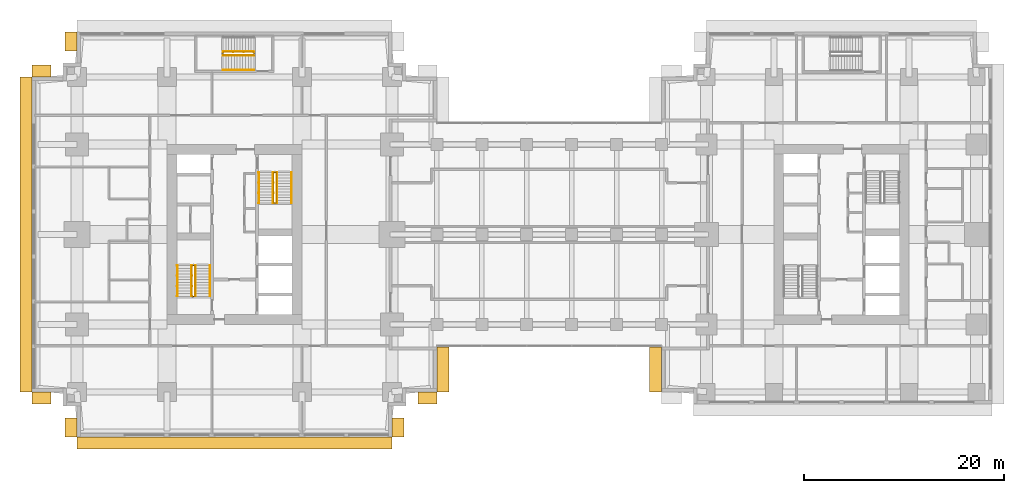
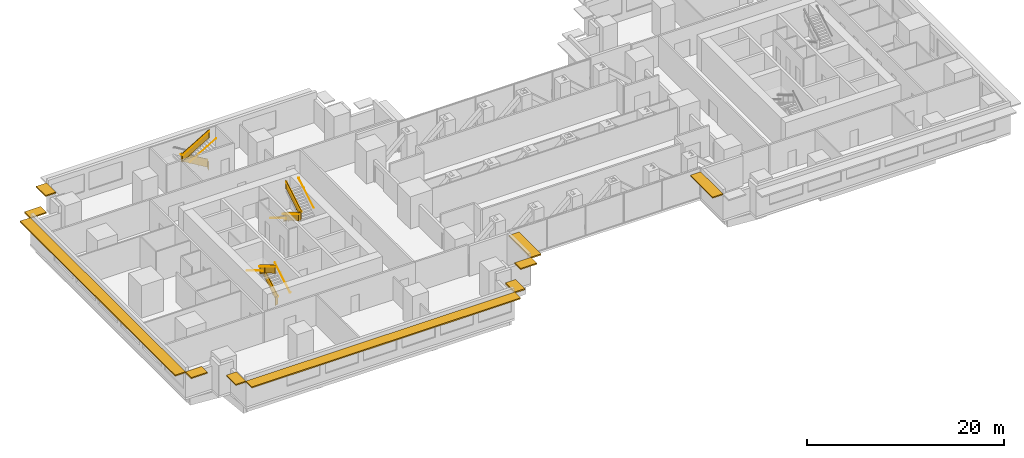
# One storey, part 14 of 16: 14 railings, 10 shading devices.
"""IFC4 building model written with IfcOpenShell, lengths in metres."""

from ifc_helpers import new_model, si_unit, direction, frame, origin, origin_2d, place, context, subcontext, project, spatial, polyline, rectangle, circle, outline, extrude, material, layer, layer_set, type_object, element, save


model = new_model("IFC4")

# Units and contexts
model_context = context("Model", 3, precision=1e-05, world=origin(), true_north=direction((0.0, 1.0)))
body_context = subcontext(model_context, "Body", "Model", "MODEL_VIEW")
ifc_project = project(units=[si_unit("LENGTHUNIT", "METRE"), si_unit("AREAUNIT", "SQUARE_METRE"), si_unit("VOLUMEUNIT", "CUBIC_METRE"), si_unit("PLANEANGLEUNIT", "RADIAN"), si_unit("MASSUNIT", "GRAM", prefix="KILO")], contexts=[model_context])

# Site, building, storey
site_placement = place(None, origin())
site = spatial("IfcSite", under=ifc_project, at=site_placement, CompositionType="ELEMENT")
building_placement = place(site_placement, origin())
building = spatial("IfcBuilding", under=site, at=building_placement, Name="Namib Vertical Campus", CompositionType="ELEMENT")
storey_placement = place(building_placement, frame((0.0, 0.0, 125.0)))
storey = spatial("IfcBuildingStorey", under=building, at=storey_placement, Name="L29", CompositionType="ELEMENT", Elevation=125.0)

# Railings
ifc_material_1 = material(Name="Steel handrail", Category="steel")
railing_type_1 = type_object("IfcRailingType", Name="Handrail 900", PredefinedType="HANDRAIL", material=ifc_material_1)
railing_1_placement = place(storey_placement, frame((17.800048828125, 14.050048828125, 0.166748046875)))
element("IfcRailing", 1, at=railing_1_placement, inside=storey, type_object=railing_type_1, Name="Handrail HR1 A-S1 L29 1", PredefinedType="HANDRAIL", context=body_context, shape_type="SweptSolid", body=[
    extrude(circle(Radius=0.02392578125, at=origin_2d()), frame((0.0, 0.0, 0.8759765625), z_axis=(0.0, 0.859290745958, 0.51148745235), x_axis=(-1.0, 0.0, 0.0)), (0.0, 0.0, 1.0), 3.584228515625),
    extrude(circle(Radius=0.008056640625, at=origin_2d()), frame((0.0, 0.0, 0.8759765625), z_axis=(1.0, 0.0, 0.0), x_axis=(0.0, 0.0, 1.0)), (0.0, 0.0, 1.0), 0.050048828125),
    extrude(circle(Radius=0.008056640625, at=origin_2d()), frame((0.0, 1.026611328125, 1.48681640625), z_axis=(1.0, 0.0, 0.0), x_axis=(0.0, 0.0, 1.0)), (0.0, 0.0, 1.0), 0.050048828125),
    extrude(circle(Radius=0.008056640625, at=origin_2d()), frame((0.0, 2.05322265625, 2.09814453125), z_axis=(1.0, 0.0, 0.0), x_axis=(0.0, 0.0, 1.0)), (0.0, 0.0, 1.0), 0.050048828125),
    extrude(circle(Radius=0.008056640625, at=origin_2d()), frame((0.0, 3.079833984375, 2.708984375), z_axis=(1.0, 0.0, 0.0), x_axis=(0.0, 0.0, 1.0)), (0.0, 0.0, 1.0), 0.050048828125),
])
railing_2_placement = place(storey_placement, frame((14.550048828125, 17.1298828125, 2.166748046875)))
element("IfcRailing", 2, at=railing_2_placement, inside=storey, type_object=railing_type_1, Name="Handrail HR1 A-S1 L29 2", PredefinedType="HANDRAIL", context=body_context, shape_type="SweptSolid", body=[
    extrude(circle(Radius=0.02392578125, at=origin_2d()), frame((0.0, 0.0, 0.8759765625), z_axis=(0.0, -0.859290745958, 0.51148745235), x_axis=(1.0, 0.0, 0.0)), (0.0, 0.0, 1.0), 3.584228515625),
    extrude(circle(Radius=0.008056640625, at=origin_2d()), frame((0.0, 0.0, 0.8759765625), z_axis=(-1.0, 0.0, 0.0), x_axis=(0.0, 0.0, 1.0)), (0.0, 0.0, 1.0), 0.050048828125),
    extrude(circle(Radius=0.008056640625, at=origin_2d()), frame((0.0, -1.026611328125, 1.48681640625), z_axis=(-1.0, 0.0, 0.0), x_axis=(0.0, 0.0, 1.0)), (0.0, 0.0, 1.0), 0.050048828125),
    extrude(circle(Radius=0.008056640625, at=origin_2d()), frame((0.0, -2.05322265625, 2.09814453125), z_axis=(-1.0, 0.0, 0.0), x_axis=(0.0, 0.0, 1.0)), (0.0, 0.0, 1.0), 0.050048828125),
    extrude(circle(Radius=0.008056640625, at=origin_2d()), frame((0.0, -3.079833984375, 2.708984375), z_axis=(-1.0, 0.0, 0.0), x_axis=(0.0, 0.0, 1.0)), (0.0, 0.0, 1.0), 0.050048828125),
])
railing_3_placement = place(storey_placement, frame((16.375, 14.050048828125, 0.166748046875)))
element("IfcRailing", 3, at=railing_3_placement, inside=storey, type_object=railing_type_1, Name="Handrail HR1 A-S1 L29 1 at the well", PredefinedType="HANDRAIL", context=body_context, shape_type="SweptSolid", body=[
    extrude(circle(Radius=0.02392578125, at=origin_2d()), frame((0.0, 0.0, 0.8759765625), z_axis=(0.0, 0.859290745958, 0.51148745235), x_axis=(-1.0, 0.0, 0.0)), (0.0, 0.0, 1.0), 3.584228515625),
    extrude(circle(Radius=0.008056640625, at=origin_2d()), frame((0.0, 0.0, 0.8759765625), z_axis=(-1.0, 0.0, 0.0), x_axis=(0.0, 0.0, 1.0)), (0.0, 0.0, 1.0), 0.0400390625),
    extrude(circle(Radius=0.008056640625, at=origin_2d()), frame((0.0, 1.026611328125, 1.48681640625), z_axis=(-1.0, 0.0, 0.0), x_axis=(0.0, 0.0, 1.0)), (0.0, 0.0, 1.0), 0.0400390625),
    extrude(circle(Radius=0.008056640625, at=origin_2d()), frame((0.0, 2.05322265625, 2.09814453125), z_axis=(-1.0, 0.0, 0.0), x_axis=(0.0, 0.0, 1.0)), (0.0, 0.0, 1.0), 0.0400390625),
    extrude(circle(Radius=0.008056640625, at=origin_2d()), frame((0.0, 3.079833984375, 2.708984375), z_axis=(-1.0, 0.0, 0.0), x_axis=(0.0, 0.0, 1.0)), (0.0, 0.0, 1.0), 0.0400390625),
])
railing_4_placement = place(storey_placement, frame((15.97509765625, 17.1298828125, 2.166748046875)))
element("IfcRailing", 4, at=railing_4_placement, inside=storey, type_object=railing_type_1, Name="Handrail HR1 A-S1 L29 2 at the well", PredefinedType="HANDRAIL", context=body_context, shape_type="SweptSolid", body=[
    extrude(circle(Radius=0.02392578125, at=origin_2d()), frame((0.0, 0.0, 0.8759765625), z_axis=(0.0, -0.859290745958, 0.51148745235), x_axis=(1.0, 0.0, 0.0)), (0.0, 0.0, 1.0), 3.584228515625),
    extrude(circle(Radius=0.008056640625, at=origin_2d()), frame((0.0, 0.0, 0.8759765625), z_axis=(1.0, 0.0, 0.0), x_axis=(0.0, 0.0, 1.0)), (0.0, 0.0, 1.0), 0.0400390625),
    extrude(circle(Radius=0.008056640625, at=origin_2d()), frame((0.0, -1.026611328125, 1.48681640625), z_axis=(1.0, 0.0, 0.0), x_axis=(0.0, 0.0, 1.0)), (0.0, 0.0, 1.0), 0.0400390625),
    extrude(circle(Radius=0.008056640625, at=origin_2d()), frame((0.0, -2.05322265625, 2.09814453125), z_axis=(1.0, 0.0, 0.0), x_axis=(0.0, 0.0, 1.0)), (0.0, 0.0, 1.0), 0.0400390625),
    extrude(circle(Radius=0.008056640625, at=origin_2d()), frame((0.0, -3.079833984375, 2.708984375), z_axis=(1.0, 0.0, 0.0), x_axis=(0.0, 0.0, 1.0)), (0.0, 0.0, 1.0), 0.0400390625),
])
railing_5_placement = place(storey_placement, frame((22.699951171875, 26.449951171875, 0.166748046875)))
element("IfcRailing", 5, at=railing_5_placement, inside=storey, type_object=railing_type_1, Name="Handrail HR1 A-S2 L29 1", PredefinedType="HANDRAIL", context=body_context, shape_type="SweptSolid", body=[
    extrude(circle(Radius=0.02392578125, at=origin_2d()), frame((0.0, 0.0, 0.8759765625), z_axis=(0.0, -0.859290745958, 0.51148745235), x_axis=(1.0, 0.0, 0.0)), (0.0, 0.0, 1.0), 3.584228515625),
    extrude(circle(Radius=0.008056640625, at=origin_2d()), frame((0.0, 0.0, 0.8759765625), z_axis=(-1.0, 0.0, 0.0), x_axis=(0.0, 0.0, 1.0)), (0.0, 0.0, 1.0), 0.050048828125),
    extrude(circle(Radius=0.008056640625, at=origin_2d()), frame((0.0, -1.026611328125, 1.48681640625), z_axis=(-1.0, 0.0, 0.0), x_axis=(0.0, 0.0, 1.0)), (0.0, 0.0, 1.0), 0.050048828125),
    extrude(circle(Radius=0.008056640625, at=origin_2d()), frame((0.0, -2.05322265625, 2.09814453125), z_axis=(-1.0, 0.0, 0.0), x_axis=(0.0, 0.0, 1.0)), (0.0, 0.0, 1.0), 0.050048828125),
    extrude(circle(Radius=0.008056640625, at=origin_2d()), frame((0.0, -3.079833984375, 2.708984375), z_axis=(-1.0, 0.0, 0.0), x_axis=(0.0, 0.0, 1.0)), (0.0, 0.0, 1.0), 0.050048828125),
])
railing_6_placement = place(storey_placement, frame((25.949951171875, 23.3701171875, 2.166748046875)))
element("IfcRailing", 6, at=railing_6_placement, inside=storey, type_object=railing_type_1, Name="Handrail HR1 A-S2 L29 2", PredefinedType="HANDRAIL", context=body_context, shape_type="SweptSolid", body=[
    extrude(circle(Radius=0.02392578125, at=origin_2d()), frame((0.0, 0.0, 0.8759765625), z_axis=(0.0, 0.859290745958, 0.51148745235), x_axis=(-1.0, 0.0, 0.0)), (0.0, 0.0, 1.0), 3.584228515625),
    extrude(circle(Radius=0.008056640625, at=origin_2d()), frame((0.0, 0.0, 0.8759765625), z_axis=(1.0, 0.0, 0.0), x_axis=(0.0, 0.0, 1.0)), (0.0, 0.0, 1.0), 0.050048828125),
    extrude(circle(Radius=0.008056640625, at=origin_2d()), frame((0.0, 1.026611328125, 1.48681640625), z_axis=(1.0, 0.0, 0.0), x_axis=(0.0, 0.0, 1.0)), (0.0, 0.0, 1.0), 0.050048828125),
    extrude(circle(Radius=0.008056640625, at=origin_2d()), frame((0.0, 2.05322265625, 2.09814453125), z_axis=(1.0, 0.0, 0.0), x_axis=(0.0, 0.0, 1.0)), (0.0, 0.0, 1.0), 0.050048828125),
    extrude(circle(Radius=0.008056640625, at=origin_2d()), frame((0.0, 3.079833984375, 2.708984375), z_axis=(1.0, 0.0, 0.0), x_axis=(0.0, 0.0, 1.0)), (0.0, 0.0, 1.0), 0.050048828125),
])
railing_7_placement = place(storey_placement, frame((24.125, 26.449951171875, 0.166748046875)))
element("IfcRailing", 7, at=railing_7_placement, inside=storey, type_object=railing_type_1, Name="Handrail HR1 A-S2 L29 1 at the well", PredefinedType="HANDRAIL", context=body_context, shape_type="SweptSolid", body=[
    extrude(circle(Radius=0.02392578125, at=origin_2d()), frame((0.0, 0.0, 0.8759765625), z_axis=(0.0, -0.859290745958, 0.51148745235), x_axis=(1.0, 0.0, 0.0)), (0.0, 0.0, 1.0), 3.584228515625),
    extrude(circle(Radius=0.008056640625, at=origin_2d()), frame((0.0, 0.0, 0.8759765625), z_axis=(1.0, 0.0, 0.0), x_axis=(0.0, 0.0, 1.0)), (0.0, 0.0, 1.0), 0.0400390625),
    extrude(circle(Radius=0.008056640625, at=origin_2d()), frame((0.0, -1.026611328125, 1.48681640625), z_axis=(1.0, 0.0, 0.0), x_axis=(0.0, 0.0, 1.0)), (0.0, 0.0, 1.0), 0.0400390625),
    extrude(circle(Radius=0.008056640625, at=origin_2d()), frame((0.0, -2.05322265625, 2.09814453125), z_axis=(1.0, 0.0, 0.0), x_axis=(0.0, 0.0, 1.0)), (0.0, 0.0, 1.0), 0.0400390625),
    extrude(circle(Radius=0.008056640625, at=origin_2d()), frame((0.0, -3.079833984375, 2.708984375), z_axis=(1.0, 0.0, 0.0), x_axis=(0.0, 0.0, 1.0)), (0.0, 0.0, 1.0), 0.0400390625),
])
railing_8_placement = place(storey_placement, frame((24.52490234375, 23.3701171875, 2.166748046875)))
element("IfcRailing", 8, at=railing_8_placement, inside=storey, type_object=railing_type_1, Name="Handrail HR1 A-S2 L29 2 at the well", PredefinedType="HANDRAIL", context=body_context, shape_type="SweptSolid", body=[
    extrude(circle(Radius=0.02392578125, at=origin_2d()), frame((0.0, 0.0, 0.8759765625), z_axis=(0.0, 0.859290745958, 0.51148745235), x_axis=(-1.0, 0.0, 0.0)), (0.0, 0.0, 1.0), 3.584228515625),
    extrude(circle(Radius=0.008056640625, at=origin_2d()), frame((0.0, 0.0, 0.8759765625), z_axis=(-1.0, 0.0, 0.0), x_axis=(0.0, 0.0, 1.0)), (0.0, 0.0, 1.0), 0.0400390625),
    extrude(circle(Radius=0.008056640625, at=origin_2d()), frame((0.0, 1.026611328125, 1.48681640625), z_axis=(-1.0, 0.0, 0.0), x_axis=(0.0, 0.0, 1.0)), (0.0, 0.0, 1.0), 0.0400390625),
    extrude(circle(Radius=0.008056640625, at=origin_2d()), frame((0.0, 2.05322265625, 2.09814453125), z_axis=(-1.0, 0.0, 0.0), x_axis=(0.0, 0.0, 1.0)), (0.0, 0.0, 1.0), 0.0400390625),
    extrude(circle(Radius=0.008056640625, at=origin_2d()), frame((0.0, 3.079833984375, 2.708984375), z_axis=(-1.0, 0.0, 0.0), x_axis=(0.0, 0.0, 1.0)), (0.0, 0.0, 1.0), 0.0400390625),
])
railing_9_placement = place(storey_placement, frame((19.1201171875, 36.699951171875, 2.166748046875)))
element("IfcRailing", 9, at=railing_9_placement, inside=storey, type_object=railing_type_1, Name="Handrail HR1 A-S3 L29 2", PredefinedType="HANDRAIL", context=body_context, shape_type="SweptSolid", body=[
    extrude(circle(Radius=0.02392578125, at=origin_2d()), frame((0.0, 0.0, 0.8759765625), z_axis=(0.859290745958, 0.0, 0.51148745235), x_axis=(0.0, 1.0, 0.0)), (0.0, 0.0, 1.0), 3.584228515625),
    extrude(circle(Radius=0.008056640625, at=origin_2d()), frame((0.0, 0.0, 0.8759765625), z_axis=(0.0, -1.0, 0.0), x_axis=(0.0, 0.0, 1.0)), (0.0, 0.0, 1.0), 0.050048828125),
    extrude(circle(Radius=0.008056640625, at=origin_2d()), frame((1.026611328125, 0.0, 1.48681640625), z_axis=(0.0, -1.0, 0.0), x_axis=(0.0, 0.0, 1.0)), (0.0, 0.0, 1.0), 0.050048828125),
    extrude(circle(Radius=0.008056640625, at=origin_2d()), frame((2.05322265625, 0.0, 2.09814453125), z_axis=(0.0, -1.0, 0.0), x_axis=(0.0, 0.0, 1.0)), (0.0, 0.0, 1.0), 0.050048828125),
    extrude(circle(Radius=0.008056640625, at=origin_2d()), frame((3.079833984375, 0.0, 2.708984375), z_axis=(0.0, -1.0, 0.0), x_axis=(0.0, 0.0, 1.0)), (0.0, 0.0, 1.0), 0.050048828125),
])
railing_10_placement = place(storey_placement, frame((22.199951171875, 38.52490234375, 0.166748046875)))
element("IfcRailing", 10, at=railing_10_placement, inside=storey, type_object=railing_type_1, Name="Handrail HR1 A-S3 L29 1 at the well", PredefinedType="HANDRAIL", context=body_context, shape_type="SweptSolid", body=[
    extrude(circle(Radius=0.02392578125, at=origin_2d()), frame((0.0, 0.0, 0.8759765625), z_axis=(-0.859290745958, 0.0, 0.51148745235), x_axis=(0.0, -1.0, 0.0)), (0.0, 0.0, 1.0), 3.584228515625),
    extrude(circle(Radius=0.008056640625, at=origin_2d()), frame((0.0, 0.0, 0.8759765625), z_axis=(0.0, -1.0, 0.0), x_axis=(0.0, 0.0, 1.0)), (0.0, 0.0, 1.0), 0.0400390625),
    extrude(circle(Radius=0.008056640625, at=origin_2d()), frame((-1.026611328125, 0.0, 1.48681640625), z_axis=(0.0, -1.0, 0.0), x_axis=(0.0, 0.0, 1.0)), (0.0, 0.0, 1.0), 0.0400390625),
    extrude(circle(Radius=0.008056640625, at=origin_2d()), frame((-2.05322265625, 0.0, 2.09814453125), z_axis=(0.0, -1.0, 0.0), x_axis=(0.0, 0.0, 1.0)), (0.0, 0.0, 1.0), 0.0400390625),
    extrude(circle(Radius=0.008056640625, at=origin_2d()), frame((-3.079833984375, 0.0, 2.708984375), z_axis=(0.0, -1.0, 0.0), x_axis=(0.0, 0.0, 1.0)), (0.0, 0.0, 1.0), 0.0400390625),
])
railing_11_placement = place(storey_placement, frame((19.1201171875, 38.125, 2.166748046875)))
element("IfcRailing", 11, at=railing_11_placement, inside=storey, type_object=railing_type_1, Name="Handrail HR1 A-S3 L29 2 at the well", PredefinedType="HANDRAIL", context=body_context, shape_type="SweptSolid", body=[
    extrude(circle(Radius=0.02392578125, at=origin_2d()), frame((0.0, 0.0, 0.8759765625), z_axis=(0.859290745958, 0.0, 0.51148745235), x_axis=(0.0, 1.0, 0.0)), (0.0, 0.0, 1.0), 3.584228515625),
    extrude(circle(Radius=0.008056640625, at=origin_2d()), frame((0.0, 0.0, 0.8759765625), z_axis=(0.0, 1.0, 0.0), x_axis=(0.0, 0.0, 1.0)), (0.0, 0.0, 1.0), 0.0400390625),
    extrude(circle(Radius=0.008056640625, at=origin_2d()), frame((1.026611328125, 0.0, 1.48681640625), z_axis=(0.0, 1.0, 0.0), x_axis=(0.0, 0.0, 1.0)), (0.0, 0.0, 1.0), 0.0400390625),
    extrude(circle(Radius=0.008056640625, at=origin_2d()), frame((2.05322265625, 0.0, 2.09814453125), z_axis=(0.0, 1.0, 0.0), x_axis=(0.0, 0.0, 1.0)), (0.0, 0.0, 1.0), 0.0400390625),
    extrude(circle(Radius=0.008056640625, at=origin_2d()), frame((3.079833984375, 0.0, 2.708984375), z_axis=(0.0, 1.0, 0.0), x_axis=(0.0, 0.0, 1.0)), (0.0, 0.0, 1.0), 0.0400390625),
])
ifc_material_2 = material(Name="Steel balustrade", Category="steel")
railing_type_2 = type_object("IfcRailingType", Name="Stair guard 1100", PredefinedType="GUARDRAIL", material=ifc_material_2)
railing_12_placement = place(storey_placement, frame((16.02490234375, 14.050048828125, 0.0)))
element("IfcRailing", 12, at=railing_12_placement, inside=storey, type_object=railing_type_2, Name="Stair guard GR1 A-S1 L29", PredefinedType="GUARDRAIL", context=body_context, shape_type="SweptSolid", body=[
    extrude(circle(Radius=0.02392578125, at=origin_2d()), frame((0.0, 0.0, 1.076171875), z_axis=(1.0, 0.0, 0.0), x_axis=(0.0, 1.0, 0.0)), (0.0, 0.0, 1.0), 0.300048828125),
    extrude(outline(polyline([(0.02099609375, 0.050048828125), (0.279052734375, 0.050048828125), (0.279052734375, 1.052001953125), (0.02099609375, 1.052001953125), (0.02099609375, 0.050048828125)])), frame((0.0, 0.010009765625, 0.0), z_axis=(0.0, -1.0, 0.0), x_axis=(1.0, 0.0, 0.0)), (0.0, 0.0, 1.0), 0.02001953125),
    extrude(circle(Radius=0.02392578125, at=origin_2d()), frame((0.300048828125, 0.0, 1.076171875), z_axis=(0.0, 0.0, 1.0), x_axis=(1.0, 0.0, 0.0)), (0.0, 0.0, 1.0), 0.166748046875),
    extrude(circle(Radius=0.02392578125, at=origin_2d()), frame((0.300048828125, 0.0, 1.24267578125), z_axis=(0.0, 0.859290745958, 0.51148745235), x_axis=(-1.0, 0.0, 0.0)), (0.0, 0.0, 1.0), 3.584228515625),
    extrude(outline(polyline([(0.02099609375, 0.0625), (3.058837890625, 1.870849609375), (3.058837890625, 2.872802734375), (0.02099609375, 1.064453125), (0.02099609375, 0.0625)])), frame((0.2900390625, 0.0, 0.166748046875), z_axis=(1.0, 0.0, 0.0), x_axis=(0.0, 1.0, 0.0)), (0.0, 0.0, 1.0), 0.02001953125),
    extrude(circle(Radius=0.02392578125, at=origin_2d()), frame((0.300048828125, 3.079833984375, 3.076171875), z_axis=(-1.0, 0.0, 0.0), x_axis=(0.0, -1.0, 0.0)), (0.0, 0.0, 1.0), 0.300048828125),
    extrude(outline(polyline([(0.02099609375, 0.050048828125), (0.279052734375, 0.050048828125), (0.279052734375, 1.052001953125), (0.02099609375, 1.052001953125), (0.02099609375, 0.050048828125)])), frame((0.300048828125, 3.06982421875, 2.0), z_axis=(0.0, 1.0, 0.0), x_axis=(-1.0, 0.0, 0.0)), (0.0, 0.0, 1.0), 0.02001953125),
    extrude(circle(Radius=0.02392578125, at=origin_2d()), frame((0.0, 3.079833984375, 3.076171875), z_axis=(0.0, 0.0, 1.0), x_axis=(1.0, 0.0, 0.0)), (0.0, 0.0, 1.0), 0.166748046875),
    extrude(circle(Radius=0.02392578125, at=origin_2d()), frame((0.0, 3.079833984375, 3.24267578125), z_axis=(0.0, -0.859290745958, 0.51148745235), x_axis=(1.0, 0.0, 0.0)), (0.0, 0.0, 1.0), 3.584228515625),
    extrude(outline(polyline([(0.02099609375, 0.0625), (3.058837890625, 1.870849609375), (3.058837890625, 2.872802734375), (0.02099609375, 1.064453125), (0.02099609375, 0.0625)])), frame((0.010009765625, 3.079833984375, 2.166748046875), z_axis=(-1.0, 0.0, 0.0), x_axis=(0.0, -1.0, 0.0)), (0.0, 0.0, 1.0), 0.02001953125),
    extrude(circle(Radius=0.02392578125, at=origin_2d()), frame((0.0, 0.0, 5.076171875), z_axis=(0.0, -1.0, 0.0), x_axis=(1.0, 0.0, 0.0)), (0.0, 0.0, 1.0), 0.050048828125),
    extrude(outline(polyline([(0.02099609375, 0.050048828125), (0.029052734375, 0.050048828125), (0.029052734375, 1.052001953125), (0.02099609375, 1.052001953125), (0.02099609375, 0.050048828125)])), frame((0.010009765625, 0.0, 4.0), z_axis=(-1.0, 0.0, 0.0), x_axis=(0.0, -1.0, 0.0)), (0.0, 0.0, 1.0), 0.02001953125),
    extrude(circle(Radius=0.02099609375, at=origin_2d()), origin(), (0.0, 0.0, 1.0), 1.052001953125),
    extrude(circle(Radius=0.02099609375, at=origin_2d()), frame((0.300048828125, 0.0, 0.166748046875)), (0.0, 0.0, 1.0), 1.052001953125),
    extrude(circle(Radius=0.02099609375, at=origin_2d()), frame((0.300048828125, 1.026611328125, 0.666748046875)), (0.0, 0.0, 1.0), 1.1630859375),
    extrude(circle(Radius=0.02099609375, at=origin_2d()), frame((0.300048828125, 2.05322265625, 1.33349609375)), (0.0, 0.0, 1.0), 1.107421875),
    extrude(circle(Radius=0.02099609375, at=origin_2d()), frame((0.300048828125, 3.079833984375, 2.0)), (0.0, 0.0, 1.0), 1.052001953125),
    extrude(circle(Radius=0.02099609375, at=origin_2d()), frame((0.0, 3.079833984375, 2.166748046875)), (0.0, 0.0, 1.0), 1.052001953125),
    extrude(circle(Radius=0.02099609375, at=origin_2d()), frame((0.0, 2.05322265625, 2.666748046875)), (0.0, 0.0, 1.0), 1.1630859375),
    extrude(circle(Radius=0.02099609375, at=origin_2d()), frame((0.0, 1.026611328125, 3.33349609375)), (0.0, 0.0, 1.0), 1.107421875),
    extrude(circle(Radius=0.02099609375, at=origin_2d()), frame((0.0, 0.0, 4.0)), (0.0, 0.0, 1.0), 1.052001953125),
    extrude(circle(Radius=0.02099609375, at=origin_2d()), frame((0.0, -0.050048828125, 4.0)), (0.0, 0.0, 1.0), 1.052001953125),
])
railing_13_placement = place(storey_placement, frame((24.47509765625, 26.449951171875, 0.0)))
element("IfcRailing", 13, at=railing_13_placement, inside=storey, type_object=railing_type_2, Name="Stair guard GR1 A-S2 L29", PredefinedType="GUARDRAIL", context=body_context, shape_type="SweptSolid", body=[
    extrude(circle(Radius=0.02392578125, at=origin_2d()), frame((0.0, 0.0, 1.076171875), z_axis=(-1.0, 0.0, 0.0), x_axis=(0.0, -1.0, 0.0)), (0.0, 0.0, 1.0), 0.300048828125),
    extrude(outline(polyline([(0.02099609375, 0.050048828125), (0.279052734375, 0.050048828125), (0.279052734375, 1.052001953125), (0.02099609375, 1.052001953125), (0.02099609375, 0.050048828125)])), frame((0.0, -0.010009765625, 0.0), z_axis=(0.0, 1.0, 0.0), x_axis=(-1.0, 0.0, 0.0)), (0.0, 0.0, 1.0), 0.02001953125),
    extrude(circle(Radius=0.02392578125, at=origin_2d()), frame((-0.300048828125, 0.0, 1.076171875), z_axis=(0.0, 0.0, 1.0), x_axis=(1.0, 0.0, 0.0)), (0.0, 0.0, 1.0), 0.166748046875),
    extrude(circle(Radius=0.02392578125, at=origin_2d()), frame((-0.300048828125, 0.0, 1.24267578125), z_axis=(0.0, -0.859290745958, 0.51148745235), x_axis=(1.0, 0.0, 0.0)), (0.0, 0.0, 1.0), 3.584228515625),
    extrude(outline(polyline([(0.02099609375, 0.0625), (3.058837890625, 1.870849609375), (3.058837890625, 2.872802734375), (0.02099609375, 1.064453125), (0.02099609375, 0.0625)])), frame((-0.2900390625, 0.0, 0.166748046875), z_axis=(-1.0, 0.0, 0.0), x_axis=(0.0, -1.0, 0.0)), (0.0, 0.0, 1.0), 0.02001953125),
    extrude(circle(Radius=0.02392578125, at=origin_2d()), frame((-0.300048828125, -3.079833984375, 3.076171875), z_axis=(1.0, 0.0, 0.0), x_axis=(0.0, 1.0, 0.0)), (0.0, 0.0, 1.0), 0.300048828125),
    extrude(outline(polyline([(0.02099609375, 0.050048828125), (0.279052734375, 0.050048828125), (0.279052734375, 1.052001953125), (0.02099609375, 1.052001953125), (0.02099609375, 0.050048828125)])), frame((-0.300048828125, -3.06982421875, 2.0), z_axis=(0.0, -1.0, 0.0), x_axis=(1.0, 0.0, 0.0)), (0.0, 0.0, 1.0), 0.02001953125),
    extrude(circle(Radius=0.02392578125, at=origin_2d()), frame((0.0, -3.079833984375, 3.076171875), z_axis=(0.0, 0.0, 1.0), x_axis=(1.0, 0.0, 0.0)), (0.0, 0.0, 1.0), 0.166748046875),
    extrude(circle(Radius=0.02392578125, at=origin_2d()), frame((0.0, -3.079833984375, 3.24267578125), z_axis=(0.0, 0.859290745958, 0.51148745235), x_axis=(-1.0, 0.0, 0.0)), (0.0, 0.0, 1.0), 3.584228515625),
    extrude(outline(polyline([(0.02099609375, 0.0625), (3.058837890625, 1.870849609375), (3.058837890625, 2.872802734375), (0.02099609375, 1.064453125), (0.02099609375, 0.0625)])), frame((-0.010009765625, -3.079833984375, 2.166748046875), z_axis=(1.0, 0.0, 0.0), x_axis=(0.0, 1.0, 0.0)), (0.0, 0.0, 1.0), 0.02001953125),
    extrude(circle(Radius=0.02392578125, at=origin_2d()), frame((0.0, 0.0, 5.076171875), z_axis=(0.0, 1.0, 0.0), x_axis=(-1.0, 0.0, 0.0)), (0.0, 0.0, 1.0), 0.050048828125),
    extrude(outline(polyline([(0.02099609375, 0.050048828125), (0.029052734375, 0.050048828125), (0.029052734375, 1.052001953125), (0.02099609375, 1.052001953125), (0.02099609375, 0.050048828125)])), frame((-0.010009765625, 0.0, 4.0), z_axis=(1.0, 0.0, 0.0), x_axis=(0.0, 1.0, 0.0)), (0.0, 0.0, 1.0), 0.02001953125),
    extrude(circle(Radius=0.02099609375, at=origin_2d()), origin(), (0.0, 0.0, 1.0), 1.052001953125),
    extrude(circle(Radius=0.02099609375, at=origin_2d()), frame((-0.300048828125, 0.0, 0.166748046875)), (0.0, 0.0, 1.0), 1.052001953125),
    extrude(circle(Radius=0.02099609375, at=origin_2d()), frame((-0.300048828125, -1.026611328125, 0.666748046875)), (0.0, 0.0, 1.0), 1.1630859375),
    extrude(circle(Radius=0.02099609375, at=origin_2d()), frame((-0.300048828125, -2.05322265625, 1.33349609375)), (0.0, 0.0, 1.0), 1.107421875),
    extrude(circle(Radius=0.02099609375, at=origin_2d()), frame((-0.300048828125, -3.079833984375, 2.0)), (0.0, 0.0, 1.0), 1.052001953125),
    extrude(circle(Radius=0.02099609375, at=origin_2d()), frame((0.0, -3.079833984375, 2.166748046875)), (0.0, 0.0, 1.0), 1.052001953125),
    extrude(circle(Radius=0.02099609375, at=origin_2d()), frame((0.0, -2.05322265625, 2.666748046875)), (0.0, 0.0, 1.0), 1.1630859375),
    extrude(circle(Radius=0.02099609375, at=origin_2d()), frame((0.0, -1.026611328125, 3.33349609375)), (0.0, 0.0, 1.0), 1.107421875),
    extrude(circle(Radius=0.02099609375, at=origin_2d()), frame((0.0, 0.0, 4.0)), (0.0, 0.0, 1.0), 1.052001953125),
    extrude(circle(Radius=0.02099609375, at=origin_2d()), frame((0.0, 0.050048828125, 4.0)), (0.0, 0.0, 1.0), 1.052001953125),
])
railing_14_placement = place(storey_placement, frame((22.199951171875, 38.175048828125, 0.0)))
element("IfcRailing", 14, at=railing_14_placement, inside=storey, type_object=railing_type_2, Name="Stair guard GR1 A-S3 L29", PredefinedType="GUARDRAIL", context=body_context, shape_type="SweptSolid", body=[
    extrude(circle(Radius=0.02392578125, at=origin_2d()), frame((0.0, 0.0, 1.076171875), z_axis=(0.0, 1.0, 0.0), x_axis=(-1.0, 0.0, 0.0)), (0.0, 0.0, 1.0), 0.300048828125),
    extrude(outline(polyline([(0.02099609375, 0.050048828125), (0.279052734375, 0.050048828125), (0.279052734375, 1.052001953125), (0.02099609375, 1.052001953125), (0.02099609375, 0.050048828125)])), frame((-0.010009765625, 0.0, 0.0), z_axis=(1.0, 0.0, 0.0), x_axis=(0.0, 1.0, 0.0)), (0.0, 0.0, 1.0), 0.02001953125),
    extrude(circle(Radius=0.02392578125, at=origin_2d()), frame((0.0, 0.300048828125, 1.076171875), z_axis=(0.0, 0.0, 1.0), x_axis=(1.0, 0.0, 0.0)), (0.0, 0.0, 1.0), 0.166748046875),
    extrude(circle(Radius=0.02392578125, at=origin_2d()), frame((0.0, 0.300048828125, 1.24267578125), z_axis=(-0.859290745958, 0.0, 0.51148745235), x_axis=(0.0, -1.0, 0.0)), (0.0, 0.0, 1.0), 3.584228515625),
    extrude(outline(polyline([(0.02099609375, 0.0625), (3.058837890625, 1.870849609375), (3.058837890625, 2.872802734375), (0.02099609375, 1.064453125), (0.02099609375, 0.0625)])), frame((0.0, 0.2900390625, 0.166748046875), z_axis=(0.0, 1.0, 0.0), x_axis=(-1.0, 0.0, 0.0)), (0.0, 0.0, 1.0), 0.02001953125),
    extrude(circle(Radius=0.02392578125, at=origin_2d()), frame((-3.079833984375, 0.300048828125, 3.076171875), z_axis=(0.0, -1.0, 0.0), x_axis=(1.0, 0.0, 0.0)), (0.0, 0.0, 1.0), 0.300048828125),
    extrude(outline(polyline([(0.02099609375, 0.050048828125), (0.279052734375, 0.050048828125), (0.279052734375, 1.052001953125), (0.02099609375, 1.052001953125), (0.02099609375, 0.050048828125)])), frame((-3.06982421875, 0.300048828125, 2.0), z_axis=(-1.0, 0.0, 0.0), x_axis=(0.0, -1.0, 0.0)), (0.0, 0.0, 1.0), 0.02001953125),
    extrude(circle(Radius=0.02392578125, at=origin_2d()), frame((-3.079833984375, 0.0, 3.076171875), z_axis=(0.0, 0.0, 1.0), x_axis=(1.0, 0.0, 0.0)), (0.0, 0.0, 1.0), 0.166748046875),
    extrude(circle(Radius=0.02392578125, at=origin_2d()), frame((-3.079833984375, 0.0, 3.24267578125), z_axis=(0.859290745958, 0.0, 0.51148745235), x_axis=(0.0, 1.0, 0.0)), (0.0, 0.0, 1.0), 3.584228515625),
    extrude(outline(polyline([(0.02099609375, 0.0625), (3.058837890625, 1.870849609375), (3.058837890625, 2.872802734375), (0.02099609375, 1.064453125), (0.02099609375, 0.0625)])), frame((-3.079833984375, 0.010009765625, 2.166748046875), z_axis=(0.0, -1.0, 0.0), x_axis=(1.0, 0.0, 0.0)), (0.0, 0.0, 1.0), 0.02001953125),
    extrude(circle(Radius=0.02392578125, at=origin_2d()), frame((0.0, 0.0, 5.076171875), z_axis=(1.0, 0.0, 0.0), x_axis=(0.0, 1.0, 0.0)), (0.0, 0.0, 1.0), 0.050048828125),
    extrude(outline(polyline([(0.02099609375, 0.050048828125), (0.029052734375, 0.050048828125), (0.029052734375, 1.052001953125), (0.02099609375, 1.052001953125), (0.02099609375, 0.050048828125)])), frame((0.0, 0.010009765625, 4.0), z_axis=(0.0, -1.0, 0.0), x_axis=(1.0, 0.0, 0.0)), (0.0, 0.0, 1.0), 0.02001953125),
    extrude(circle(Radius=0.02099609375, at=origin_2d()), origin(), (0.0, 0.0, 1.0), 1.052001953125),
    extrude(circle(Radius=0.02099609375, at=origin_2d()), frame((0.0, 0.300048828125, 0.166748046875)), (0.0, 0.0, 1.0), 1.052001953125),
    extrude(circle(Radius=0.02099609375, at=origin_2d()), frame((-1.026611328125, 0.300048828125, 0.666748046875)), (0.0, 0.0, 1.0), 1.1630859375),
    extrude(circle(Radius=0.02099609375, at=origin_2d()), frame((-2.05322265625, 0.300048828125, 1.33349609375)), (0.0, 0.0, 1.0), 1.107421875),
    extrude(circle(Radius=0.02099609375, at=origin_2d()), frame((-3.079833984375, 0.300048828125, 2.0)), (0.0, 0.0, 1.0), 1.052001953125),
    extrude(circle(Radius=0.02099609375, at=origin_2d()), frame((-3.079833984375, 0.0, 2.166748046875)), (0.0, 0.0, 1.0), 1.052001953125),
    extrude(circle(Radius=0.02099609375, at=origin_2d()), frame((-2.05322265625, 0.0, 2.666748046875)), (0.0, 0.0, 1.0), 1.1630859375),
    extrude(circle(Radius=0.02099609375, at=origin_2d()), frame((-1.026611328125, 0.0, 3.33349609375)), (0.0, 0.0, 1.0), 1.107421875),
    extrude(circle(Radius=0.02099609375, at=origin_2d()), frame((0.0, 0.0, 4.0)), (0.0, 0.0, 1.0), 1.052001953125),
    extrude(circle(Radius=0.02099609375, at=origin_2d()), frame((0.050048828125, 0.0, 4.0)), (0.0, 0.0, 1.0), 1.052001953125),
])

# Shading devices
ifc_material_3 = material(Name="Concrete C40/50 precast", Category="concrete")
ifc_layer = layer(ifc_material_3, 0.14990234375)
ifc_layer_set = layer_set([ifc_layer], Name="Concrete C40/50 precast")
shading_device_type = type_object("IfcShadingDeviceType", Name="Sunshade hood 1200", PredefinedType="SHUTTER", material=ifc_layer_set)
shading_device_1_placement = place(storey_placement, frame((3.89990234375, 0.949951171875, 3.10009765625), z_axis=(0.0, 0.0, 1.0), x_axis=(0.0, -1.0, 0.0)))
element("IfcShadingDevice", 15, at=shading_device_1_placement, inside=storey, type_object=shading_device_type, Name="Sunshade SH2 L29 1", PredefinedType="SHUTTER", context=body_context, shape_type="SweptSolid", body=[
    extrude(rectangle(XDim=1.89990234375, YDim=1.199951171875, at=origin_2d()), origin(), (0.0, 0.0, 1.0), 0.14990234375),
])
shading_device_2_placement = place(storey_placement, frame((20.25, -0.60009765625, 3.10009765625), z_axis=(0.0, 0.0, 1.0), x_axis=(1.0, 0.0, 0.0)))
element("IfcShadingDevice", 16, at=shading_device_2_placement, inside=storey, type_object=shading_device_type, Name="Sunshade SH2 L29 2", PredefinedType="SHUTTER", context=body_context, shape_type="SweptSolid", body=[
    extrude(rectangle(XDim=31.5, YDim=1.199951171875, at=origin_2d()), origin(), (0.0, 0.0, 1.0), 0.14990234375),
])
for number, where, z_axis, x_axis, name in (
    (17, (36.60009765625, 0.949951171875, 3.10009765625), (0.0, 0.0, 1.0), (0.0, 1.0, 0.0), "Sunshade SH2 L29 3"),
    (18, (39.550048828125, 3.89990234375, 3.10009765625), (0.0, 0.0, 1.0), (1.0, 0.0, 0.0), "Sunshade SH2 L29 6"),
):
    element("IfcShadingDevice", number, at=place(storey_placement, frame(where, z_axis=z_axis, x_axis=x_axis)), inside=storey, type_object=shading_device_type, Name=name, PredefinedType="SHUTTER", context=body_context, shape_type="SweptSolid", body=[
        extrude(rectangle(XDim=1.89990234375, YDim=1.199951171875, at=origin_2d()), origin(), (0.0, 0.0, 1.0), 0.14990234375),
    ])
shading_device_3_placement = place(storey_placement, frame((41.10009765625, 6.75, 3.10009765625), z_axis=(0.0, 0.0, 1.0), x_axis=(0.0, 1.0, 0.0)))
element("IfcShadingDevice", 19, at=shading_device_3_placement, inside=storey, type_object=shading_device_type, Name="Sunshade SH2 L29 7", PredefinedType="SHUTTER", context=body_context, shape_type="SweptSolid", body=[
    extrude(rectangle(XDim=4.5, YDim=1.199951171875, at=origin_2d()), origin(), (0.0, 0.0, 1.0), 0.14990234375),
])
for number, where, z_axis, x_axis, name in (
    (20, (3.89990234375, 39.550048828125, 3.10009765625), (0.0, 0.0, 1.0), (0.0, -1.0, 0.0), "Sunshade SH2 L29 17"),
    (21, (0.949951171875, 36.60009765625, 3.10009765625), (0.0, 0.0, 1.0), (-1.0, 0.0, 0.0), "Sunshade SH2 L29 20"),
):
    element("IfcShadingDevice", number, at=place(storey_placement, frame(where, z_axis=z_axis, x_axis=x_axis)), inside=storey, type_object=shading_device_type, Name=name, PredefinedType="SHUTTER", context=body_context, shape_type="SweptSolid", body=[
        extrude(rectangle(XDim=1.89990234375, YDim=1.199951171875, at=origin_2d()), origin(), (0.0, 0.0, 1.0), 0.14990234375),
    ])
shading_device_4_placement = place(storey_placement, frame((-0.60009765625, 20.25, 3.10009765625), z_axis=(0.0, 0.0, 1.0), x_axis=(0.0, -1.0, 0.0)))
element("IfcShadingDevice", 22, at=shading_device_4_placement, inside=storey, type_object=shading_device_type, Name="Sunshade SH2 L29 21", PredefinedType="SHUTTER", context=body_context, shape_type="SweptSolid", body=[
    extrude(rectangle(XDim=31.5, YDim=1.199951171875, at=origin_2d()), origin(), (0.0, 0.0, 1.0), 0.14990234375),
])
shading_device_5_placement = place(storey_placement, frame((0.949951171875, 3.89990234375, 3.10009765625), z_axis=(0.0, 0.0, 1.0), x_axis=(1.0, 0.0, 0.0)))
element("IfcShadingDevice", 23, at=shading_device_5_placement, inside=storey, type_object=shading_device_type, Name="Sunshade SH2 L29 22", PredefinedType="SHUTTER", context=body_context, shape_type="SweptSolid", body=[
    extrude(rectangle(XDim=1.89990234375, YDim=1.199951171875, at=origin_2d()), origin(), (0.0, 0.0, 1.0), 0.14990234375),
])
shading_device_6_placement = place(storey_placement, frame((62.39990234375, 6.75, 3.10009765625), z_axis=(0.0, 0.0, 1.0), x_axis=(0.0, -1.0, 0.0)))
element("IfcShadingDevice", 24, at=shading_device_6_placement, inside=storey, type_object=shading_device_type, Name="Sunshade SH2 L29 1", PredefinedType="SHUTTER", context=body_context, shape_type="SweptSolid", body=[
    extrude(rectangle(XDim=4.5, YDim=1.199951171875, at=origin_2d()), origin(), (0.0, 0.0, 1.0), 0.14990234375),
])

save(model, "model.ifc")
